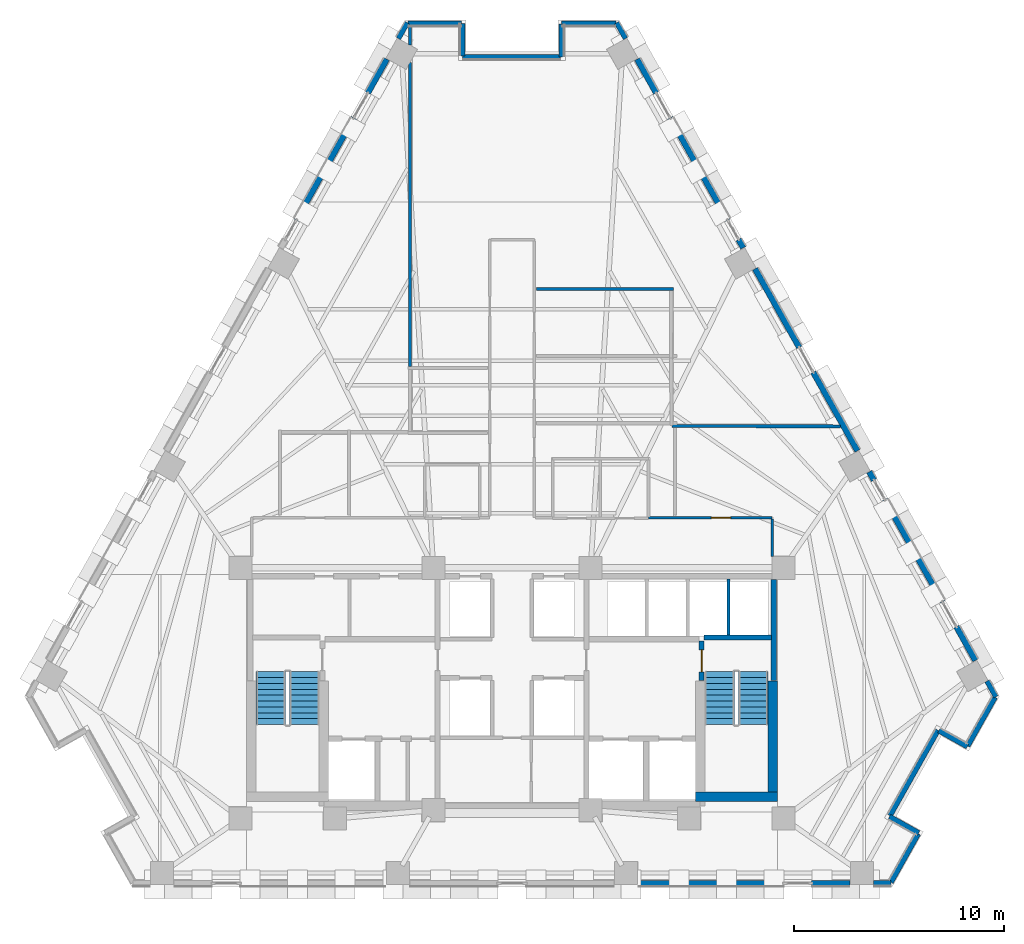
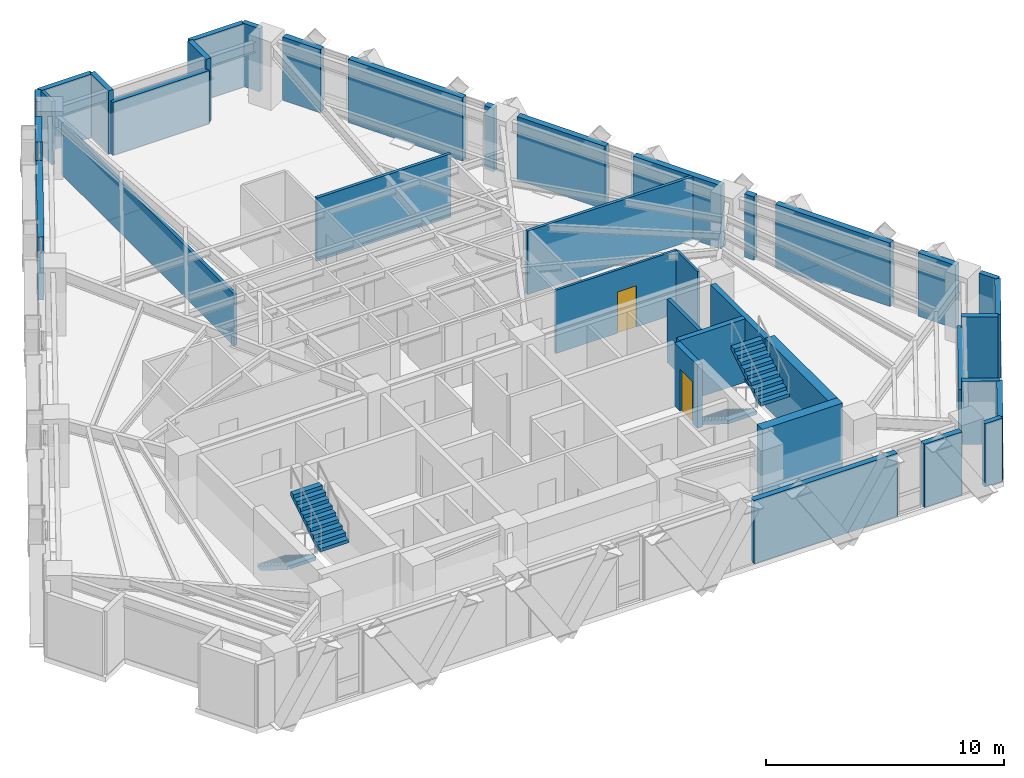
# One storey, part 9 of 13: 38 walls, 4 stair flights, 2 doors, 2 openings, 2 elements without a shape of their own.
"""IFC4 building model written with IfcOpenShell, lengths in metres."""

from ifc_helpers import new_model, si_unit, direction, frame, frame_2d, origin, place, context, subcontext, project, spatial, polyline, rectangle, outline, extrude, material, layer, layer_set, type_object, element, fill, aggregate, save


model = new_model("IFC4")

# Units and contexts
model_context = context("Model", 3, precision=1e-05, world=origin(), true_north=direction((0.0, 1.0)))
body_context = subcontext(model_context, "Body", "Model", "MODEL_VIEW")
ifc_project = project(units=[si_unit("LENGTHUNIT", "METRE"), si_unit("AREAUNIT", "SQUARE_METRE"), si_unit("VOLUMEUNIT", "CUBIC_METRE"), si_unit("PLANEANGLEUNIT", "RADIAN"), si_unit("MASSUNIT", "GRAM", prefix="KILO")], contexts=[model_context])

# Site, building, storey
site_placement = place(None, origin())
site = spatial("IfcSite", under=ifc_project, at=site_placement, CompositionType="ELEMENT")
building_placement = place(site_placement, origin())
building = spatial("IfcBuilding", under=site, at=building_placement, Name="Quenlor Broadcast Tower", CompositionType="ELEMENT")
storey_placement = place(building_placement, frame((0.0, 0.0, 109.0)))
storey = spatial("IfcBuildingStorey", under=building, at=storey_placement, Name="L29", CompositionType="ELEMENT", Elevation=109.0)

# Walls
ifc_material_1 = material(Name="Acoustic Double Stud Gypsum Partition", Category="other")
ifc_layer_1 = layer(ifc_material_1, 0.14990234375)
ifc_layer_set_1 = layer_set([ifc_layer_1], Name="Broadcast Studio Acoustic Partition 150")
wall_type_1 = type_object("IfcWallType", Name="Broadcast Studio Acoustic Partition 150", PredefinedType="PARTITIONING", material=ifc_layer_set_1)
wall_1_placement = place(storey_placement, frame((7.693603515625, 8.5, 0.0), z_axis=(0.0, 0.0, 1.0), x_axis=(-1.0, 0.0, 0.0)))
element("IfcWall", 1, at=wall_1_placement, inside=storey, type_object=wall_type_1, Name="L29 Interior Wall PW-DV-01", PredefinedType="PARTITIONING", context=body_context, shape_type="SweptSolid", body=[
    extrude(rectangle(XDim=6.513671875, YDim=0.14990234375, at=frame_2d((3.2568359375, 0.0))), origin(), (0.0, 0.0, 1.0), 3.25),
])
wall_2_placement = place(storey_placement, frame((-4.860107421875, 4.806884765625, 0.0), z_axis=(0.0, 0.0, 1.0), x_axis=(0.0, 1.0, 0.0)))
element("IfcWall", 2, at=wall_2_placement, inside=storey, type_object=wall_type_1, Name="L29 Interior Wall PW-DV-05", PredefinedType="PARTITIONING", context=body_context, shape_type="SweptSolid", body=[
    extrude(rectangle(XDim=14.50146484375, YDim=0.14990234375, at=frame_2d((7.250732421875, 0.0))), origin(), (0.0, 0.0, 1.0), 2.64794921875),
])
wall_3_placement = place(storey_placement, frame((-4.860107421875, 20.126220703125, 0.0), z_axis=(0.0, 0.0, 1.0), x_axis=(0.0, 1.0, 0.0)))
element("IfcWall", 3, at=wall_3_placement, inside=storey, type_object=wall_type_1, Name="L29 Interior Wall PW-DV-05S2", PredefinedType="PARTITIONING", context=body_context, shape_type="SweptSolid", body=[
    extrude(rectangle(XDim=0.919677734375, YDim=0.14990234375, at=frame_2d((0.4599609375, 0.0))), origin(), (0.0, 0.0, 1.0), 3.25),
])
wall_4_placement = place(storey_placement, frame((15.65673828125, 1.94970703125, 0.0), z_axis=(0.0, 0.0, 1.0), x_axis=(-0.999998274553, 0.001857657361, 0.0)))
element("IfcWall", 4, at=wall_4_placement, inside=storey, type_object=wall_type_1, Name="L29 Interior Wall PW-DV-06", PredefinedType="PARTITIONING", context=body_context, shape_type="SweptSolid", body=[
    extrude(rectangle(XDim=8.016845703125, YDim=0.14990234375, at=frame_2d((4.00830078125, 0.0))), origin(), (0.0, 0.0, 1.0), 3.25),
])
ifc_material_2 = material(Name="Concrete C50/60", Category="concrete")
ifc_layer_2 = layer(ifc_material_2, 0.449951171875)
ifc_layer_set_2 = layer_set([ifc_layer_2], Name="Core Concrete C50/60 Shear Wall 450")
wall_type_2 = type_object("IfcWallType", Name="Core Concrete C50/60 Shear Wall 450", PredefinedType="SHEAR", material=ifc_layer_set_2)
wall_5_placement = place(storey_placement, frame((8.75, -15.72509765625, 0.0), z_axis=(0.0, 0.0, 1.0), x_axis=(1.0, 0.0, 0.0)))
element("IfcWall", 5, at=wall_5_placement, inside=storey, type_object=wall_type_2, Name="L29 Core Shear Wall WS-E2", PredefinedType="SHEAR", context=body_context, shape_type="SweptSolid", body=[
    extrude(rectangle(XDim=3.89990234375, YDim=0.449951171875, at=frame_2d((1.949951171875, 0.0))), origin(), (0.0, 0.0, 1.0), 3.5),
])
wall_6_placement = place(storey_placement, frame((12.425048828125, -15.72509765625, 0.0), z_axis=(0.0, 0.0, 1.0), x_axis=(0.0, 1.0, 0.0)))
element("IfcWall", 6, at=wall_6_placement, inside=storey, type_object=wall_type_2, Name="L29 Core Shear Wall WF-E", PredefinedType="SHEAR", context=body_context, shape_type="SweptSolid", body=[
    extrude(rectangle(XDim=5.525146484375, YDim=0.449951171875, at=frame_2d((2.7626953125, 0.0))), origin(), (0.0, 0.0, 1.0), 3.5),
])

# Wall, opening, door
ifc_material_3 = material(Name="Concrete C40/50", Category="concrete")
ifc_layer_3 = layer(ifc_material_3, 0.25)
ifc_layer_set_3 = layer_set([ifc_layer_3], Name="Fire Rated Concrete C40/50 Core Wall 250")
wall_type_3 = type_object("IfcWallType", Name="Fire Rated Concrete C40/50 Core Wall 250", PredefinedType="PARTITIONING", material=ifc_layer_set_3)
wall_7_placement = place(storey_placement, frame((9.0400390625, -10.179931640625, 0.0), z_axis=(0.0, 0.0, 1.0), x_axis=(0.0, 1.0, 0.0)))
wall_7 = element("IfcWall", 7, at=wall_7_placement, inside=storey, type_object=wall_type_3, Name="L29 Interior Wall CW-ST2-DR", PredefinedType="PARTITIONING", context=body_context, shape_type="SweptSolid", body=[
    extrude(rectangle(XDim=1.89990234375, YDim=0.25, at=frame_2d((0.949951171875, 0.0))), origin(), (0.0, 0.0, 1.0), 3.25),
])
opening_1_placement = place(wall_7_placement, frame((0.419921875, 0.0, 0.0)))
opening_1 = element("IfcOpeningElement", 8, at=opening_1_placement, cuts=wall_7, Name="Opening FD-1", PredefinedType="OPENING", context=body_context, shape_type="SweptSolid", body=[
    extrude(rectangle(XDim=1.050048828125, YDim=2.14990234375, at=frame_2d((0.52490234375, 1.074951171875))), frame((0.0, 0.135009765625, 0.0), z_axis=(0.0, -1.0, 0.0), x_axis=(1.0, 0.0, 0.0)), (0.0, 0.0, 1.0), 0.27001953125),
])
ifc_material_4 = material(Name="Fire Rated Steel Door Leaf", Category="steel")
door_type_1 = type_object("IfcDoorType", Name="Fire Isolated Stair Door 1050x2150", OperationType="NOTDEFINED", PredefinedType="DOOR", material=ifc_material_4)
door_1_placement = place(opening_1_placement, origin())
door_1 = element("IfcDoor", 9, at=door_1_placement, inside=storey, type_object=door_type_1, Name="L29 Door DR-ST2", OperationType="SINGLE_SWING_RIGHT", OverallHeight=2.14990234375, OverallWidth=1.050048828125, PredefinedType="DOOR", context=body_context, shape_type="SweptSolid", body=[
    extrude(rectangle(XDim=1.050048828125, YDim=2.14990234375, at=frame_2d((0.52490234375, 1.074951171875))), frame((0.0, 0.02490234375, 0.0), z_axis=(0.0, -1.0, 0.0), x_axis=(1.0, 0.0, 0.0)), (0.0, 0.0, 1.0), 0.050048828125),
])
fill(opening_1, door_1)

# Walls
wall_8_placement = place(storey_placement, frame((9.159912109375, -8.1201171875, 0.0), z_axis=(0.0, 0.0, 1.0), x_axis=(1.0, 0.0, 0.0)))
element("IfcWall", 10, at=wall_8_placement, inside=storey, type_object=wall_type_3, Name="L29 Interior Wall CW-ST2-N", PredefinedType="PARTITIONING", context=body_context, shape_type="SweptSolid", body=[
    extrude(rectangle(XDim=3.219970703125, YDim=0.25, at=frame_2d((1.60986328125, 0.0))), origin(), (0.0, 0.0, 1.0), 3.25),
])
wall_9_placement = place(storey_placement, frame((12.47998046875, -10.179931640625, 0.0), z_axis=(0.0, 0.0, 1.0), x_axis=(0.0, 1.0, 0.0)))
element("IfcWall", 11, at=wall_9_placement, inside=storey, type_object=wall_type_3, Name="L29 Interior Wall CW-ST2-E2", PredefinedType="PARTITIONING", context=body_context, shape_type="SweptSolid", body=[
    extrude(rectangle(XDim=4.827880859375, YDim=0.25, at=frame_2d((2.4140625, 0.0))), origin(), (0.0, 0.0, 1.0), 3.25),
])
ifc_material_5 = material(Name="Gypsum Fireboard Partition", Category="other")
ifc_layer_4 = layer(ifc_material_5, 0.159912109375)
ifc_layer_set_4 = layer_set([ifc_layer_4], Name="Fire Rated Shaft and Corridor Partition 160")
wall_type_4 = type_object("IfcWallType", Name="Fire Rated Shaft and Corridor Partition 160", PredefinedType="PARTITIONING", material=ifc_layer_set_4)
wall_10_placement = place(storey_placement, frame((10.324951171875, -7.992919921875, 0.0), z_axis=(0.0, 0.0, 1.0), x_axis=(0.0, 1.0, 0.0)))
element("IfcWall", 12, at=wall_10_placement, inside=storey, type_object=wall_type_4, Name="L29 Interior Wall CW-PLH-D3", PredefinedType="PARTITIONING", context=body_context, shape_type="SweptSolid", body=[
    extrude(rectangle(XDim=2.65283203125, YDim=0.159912109375, at=frame_2d((1.326416015625, 0.0))), origin(), (0.0, 0.0, 1.0), 3.25),
])

# Wall, opening, door
ifc_material_6 = material(Name="Gypsum Plasterboard Partition", Category="other")
ifc_layer_5 = layer(ifc_material_6, 0.1201171875)
ifc_layer_set_5 = layer_set([ifc_layer_5], Name="Standard Office Partition 120")
wall_type_5 = type_object("IfcWallType", Name="Standard Office Partition 120", PredefinedType="PARTITIONING", material=ifc_layer_set_5)
wall_11_placement = place(storey_placement, frame((6.511962890625, -2.39990234375, 0.0), z_axis=(0.0, 0.0, 1.0), x_axis=(1.0, 0.0, 0.0)))
wall_11 = element("IfcWall", 13, at=wall_11_placement, inside=storey, type_object=wall_type_5, Name="L29 Interior Wall PW-CR-06S2", PredefinedType="PARTITIONING", context=body_context, shape_type="SweptSolid", body=[
    extrude(rectangle(XDim=5.89794921875, YDim=0.1201171875, at=frame_2d((2.948974609375, 0.0))), origin(), (0.0, 0.0, 1.0), 3.25),
])
opening_2_placement = place(wall_11_placement, frame((2.993896484375, 0.0, 0.0)))
opening_2 = element("IfcOpeningElement", 14, at=opening_2_placement, cuts=wall_11, Name="Opening ID-1", PredefinedType="OPENING", context=body_context, shape_type="SweptSolid", body=[
    extrude(rectangle(XDim=0.919921875, YDim=2.1201171875, at=frame_2d((0.4599609375, 1.06005859375))), frame((0.0, 0.070068359375, 0.0), z_axis=(0.0, -1.0, 0.0), x_axis=(1.0, 0.0, 0.0)), (0.0, 0.0, 1.0), 0.14013671875),
])
ifc_material_7 = material(Name="Solid Core Timber Oak", Category="wood")
door_type_2 = type_object("IfcDoorType", Name="Single Leaf Timber Office Door 920x2120", OperationType="NOTDEFINED", PredefinedType="DOOR", material=ifc_material_7)
door_2_placement = place(opening_2_placement, origin())
door_2 = element("IfcDoor", 15, at=door_2_placement, inside=storey, type_object=door_type_2, Name="L29 Door DR-RM08", OperationType="SINGLE_SWING_LEFT", OverallHeight=2.1201171875, OverallWidth=0.919921875, PredefinedType="DOOR", context=body_context, shape_type="SweptSolid", body=[
    extrude(rectangle(XDim=0.919921875, YDim=2.1201171875, at=frame_2d((0.4599609375, 1.06005859375))), frame((0.0, 0.02490234375, 0.0), z_axis=(0.0, -1.0, 0.0), x_axis=(1.0, 0.0, 0.0)), (0.0, 0.0, 1.0), 0.050048828125),
])
fill(opening_2, door_2)

# Walls
wall_12_placement = place(storey_placement, frame((12.409912109375, -2.4619140625, 0.0), z_axis=(0.0, 0.0, 1.0), x_axis=(0.0, -1.0, 0.0)))
element("IfcWall", 16, at=wall_12_placement, inside=storey, type_object=wall_type_5, Name="L29 Interior Wall PW-CR-07", PredefinedType="PARTITIONING", context=body_context, shape_type="SweptSolid", body=[
    extrude(rectangle(XDim=1.7861328125, YDim=0.1201171875, at=frame_2d((0.89306640625, 0.0))), origin(), (0.0, 0.0, 1.0), 3.25),
])
ifc_material_8 = material(Name="Precast concrete C40/50", Category="concrete")
ifc_layer_6 = layer(ifc_material_8, 0.239990234375)
ifc_layer_set_6 = layer_set([ifc_layer_6], Name="Terrace Threshold Precast Concrete C40/50 Wall 240")
wall_type_6 = type_object("IfcWallType", Name="Terrace Threshold Precast Concrete C40/50 Wall 240", PredefinedType="STANDARD", material=ifc_layer_set_6)
wall_13_placement = place(storey_placement, frame((18.083984375, -19.840087890625, 0.0), z_axis=(0.0, 0.0, 1.0), x_axis=(-1.0, 0.0, 0.0)))
element("IfcWall", 17, at=wall_13_placement, inside=storey, type_object=wall_type_6, Name="L29 Exterior Wall L29-SHD-SS0", PredefinedType="STANDARD", context=body_context, shape_type="SweptSolid", body=[
    extrude(rectangle(XDim=0.83642578125, YDim=0.239990234375, at=frame_2d((0.418212890625, 0.0))), origin(), (0.0, 0.0, 1.0), 3.25),
])
for number, where, z_axis, x_axis, name in (
    (18, (4.992919921875, 21.197265625, 0.0), (0.0, 0.0, 1.0), (0.490355003566, -0.871522788272, 0.0), "L29 Exterior Wall L29-SHD-NES0"),
    (19, (22.65380859375, -10.199951171875, 0.0), (0.0, 0.0, 1.0), (0.490355003566, -0.871522788272, 0.0), "L29 Exterior Wall L29-SHD-NES1"),
    (20, (-5.417236328125, 20.443115234375, 0.0), (0.0, 0.0, 1.0), (0.490355003566, 0.871522788272, 0.0), "L29 Exterior Wall L29-SHD-NWS1"),
):
    element("IfcWall", number, at=place(storey_placement, frame(where, z_axis=z_axis, x_axis=x_axis)), inside=storey, type_object=wall_type_6, Name=name, PredefinedType="STANDARD", context=body_context, shape_type="SweptSolid", body=[
        extrude(rectangle(XDim=0.865234375, YDim=0.239990234375, at=frame_2d((0.4326171875, 0.0))), origin(), (0.0, 0.0, 1.0), 3.25),
    ])
wall_14_placement = place(storey_placement, frame((19.39892578125, -17.4423828125, 0.0), z_axis=(0.0, 0.0, 1.0), x_axis=(-0.871575537125, 0.490261239633, 0.0)))
element("IfcWall", 21, at=wall_14_placement, inside=storey, type_object=wall_type_6, Name="L29 Exterior Wall L29-CNR-01", PredefinedType="STANDARD", context=body_context, shape_type="SweptSolid", body=[
    extrude(rectangle(XDim=1.60009765625, YDim=0.239990234375, at=frame_2d((0.800048828125, 0.0))), origin(), (0.0, 0.0, 1.0), 3.25),
])
wall_15_placement = place(storey_placement, frame((18.024169921875, -16.623046875, 0.0), z_axis=(0.0, 0.0, 1.0), x_axis=(0.490273623647, 0.871568571001, 0.0)))
element("IfcWall", 22, at=wall_15_placement, inside=storey, type_object=wall_type_6, Name="L29 Exterior Wall L29-CNR-02", PredefinedType="STANDARD", context=body_context, shape_type="SweptSolid", body=[
    extrude(rectangle(XDim=4.679931640625, YDim=0.239990234375, at=frame_2d((2.33984375, 0.0))), origin(), (0.0, 0.0, 1.0), 2.7216796875),
])
wall_16_placement = place(storey_placement, frame((20.353515625, -12.563720703125, 0.0), z_axis=(0.0, 0.0, 1.0), x_axis=(0.871546278971, -0.490313250496, 0.0)))
element("IfcWall", 23, at=wall_16_placement, inside=storey, type_object=wall_type_6, Name="L29 Exterior Wall L29-CNR-03", PredefinedType="STANDARD", context=body_context, shape_type="SweptSolid", body=[
    extrude(rectangle(XDim=1.56005859375, YDim=0.239990234375, at=frame_2d((0.780029296875, 0.0))), origin(), (0.0, 0.0, 1.0), 3.25),
])
wall_17_placement = place(storey_placement, frame((21.732666015625, -13.293701171875, 0.0), z_axis=(0.0, 0.0, 1.0), x_axis=(0.490265590412, 0.871573089797, 0.0)))
element("IfcWall", 24, at=wall_17_placement, inside=storey, type_object=wall_type_6, Name="L29 Exterior Wall L29-CNR-04", PredefinedType="STANDARD", context=body_context, shape_type="SweptSolid", body=[
    extrude(rectangle(XDim=2.6640625, YDim=0.239990234375, at=frame_2d((1.33203125, 0.0))), origin(), (0.0, 0.0, 1.0), 3.25),
])
wall_18_placement = place(storey_placement, frame((4.95947265625, 21.16796875, 0.0), z_axis=(0.0, 0.0, 1.0), x_axis=(-1.0, 0.0, 0.0)))
element("IfcWall", 25, at=wall_18_placement, inside=storey, type_object=wall_type_6, Name="L29 Exterior Wall L29-CNR-06", PredefinedType="STANDARD", context=body_context, shape_type="SweptSolid", body=[
    extrude(rectangle(XDim=2.599365234375, YDim=0.239990234375, at=frame_2d((1.2998046875, 0.0))), origin(), (0.0, 0.0, 1.0), 3.25),
])
wall_19_placement = place(storey_placement, frame((2.360107421875, 21.1279296875, 0.0), z_axis=(0.0, 0.0, 1.0), x_axis=(0.0, -1.0, 0.0)))
element("IfcWall", 26, at=wall_19_placement, inside=storey, type_object=wall_type_6, Name="L29 Exterior Wall L29-CNR-07", PredefinedType="STANDARD", context=body_context, shape_type="SweptSolid", body=[
    extrude(rectangle(XDim=1.559814453125, YDim=0.239990234375, at=frame_2d((0.77978515625, 0.0))), origin(), (0.0, 0.0, 1.0), 3.25),
])
wall_20_placement = place(storey_placement, frame((2.320068359375, 19.568115234375, 0.0), z_axis=(0.0, 0.0, 1.0), x_axis=(-1.0, 0.0, 0.0)))
element("IfcWall", 27, at=wall_20_placement, inside=storey, type_object=wall_type_6, Name="L29 Exterior Wall L29-CNR-08", PredefinedType="STANDARD", context=body_context, shape_type="SweptSolid", body=[
    extrude(rectangle(XDim=4.68017578125, YDim=0.239990234375, at=frame_2d((2.340087890625, 0.0))), origin(), (0.0, 0.0, 1.0), 2.7216796875),
])
wall_21_placement = place(storey_placement, frame((-2.360107421875, 19.60791015625, 0.0), z_axis=(0.0, 0.0, 1.0), x_axis=(0.0, 1.0, 0.0)))
element("IfcWall", 28, at=wall_21_placement, inside=storey, type_object=wall_type_6, Name="L29 Exterior Wall L29-CNR-09", PredefinedType="STANDARD", context=body_context, shape_type="SweptSolid", body=[
    extrude(rectangle(XDim=1.56005859375, YDim=0.239990234375, at=frame_2d((0.780029296875, 0.0))), origin(), (0.0, 0.0, 1.0), 3.25),
])
wall_22_placement = place(storey_placement, frame((-2.39990234375, 21.16796875, 0.0), z_axis=(0.0, 0.0, 1.0), x_axis=(-1.0, 0.0, 0.0)))
element("IfcWall", 29, at=wall_22_placement, inside=storey, type_object=wall_type_6, Name="L29 Exterior Wall L29-CNR-10", PredefinedType="STANDARD", context=body_context, shape_type="SweptSolid", body=[
    extrude(rectangle(XDim=2.5595703125, YDim=0.239990234375, at=frame_2d((1.27978515625, 0.0))), origin(), (0.0, 0.0, 1.0), 3.25),
])
wall_23_placement = place(storey_placement, frame((18.074951171875, -19.79638671875, 0.0), z_axis=(0.0, 0.0, 1.0), x_axis=(0.490248170584, 0.871582888335, 0.0)))
element("IfcWall", 30, at=wall_23_placement, inside=storey, type_object=wall_type_6, Name="L29 Exterior Wall L29-CNR-18", PredefinedType="STANDARD", context=body_context, shape_type="SweptSolid", body=[
    extrude(rectangle(XDim=2.660888671875, YDim=0.239990234375, at=frame_2d((1.33056640625, 0.0))), origin(), (0.0, 0.0, 1.0), 3.25),
])
ifc_material_9 = material(Name="Precast concrete C40/50", Category="concrete")
ifc_layer_7 = layer(ifc_material_9, 0.280029296875)
ifc_layer_set_7 = layer_set([ifc_layer_7], Name="Terracotta Precast Concrete C40/50 Facade Wall 280")
wall_type_7 = type_object("IfcWallType", Name="Terracotta Precast Concrete C40/50 Facade Wall 280", PredefinedType="STANDARD", material=ifc_layer_set_7)
wall_24_placement = place(storey_placement, frame((16.117431640625, -19.840087890625, 0.0), z_axis=(0.0, 0.0, 1.0), x_axis=(-1.0, 0.0, 0.0)))
element("IfcWall", 31, at=wall_24_placement, inside=storey, type_object=wall_type_7, Name="L29 Exterior Wall L29-SA-SP1", PredefinedType="STANDARD", context=body_context, shape_type="SweptSolid", body=[
    extrude(rectangle(XDim=1.82568359375, YDim=0.280029296875, at=frame_2d((0.912841796875, 0.0))), origin(), (0.0, 0.0, 1.0), 3.25),
])
wall_25_placement = place(storey_placement, frame((12.978759765625, -19.840087890625, 0.0), z_axis=(0.0, 0.0, 1.0), x_axis=(-1.0, 0.0, 0.0)))
element("IfcWall", 32, at=wall_25_placement, inside=storey, type_object=wall_type_7, Name="L29 Exterior Wall L29-SA-SP2", PredefinedType="STANDARD", context=body_context, shape_type="SweptSolid", body=[
    extrude(rectangle(XDim=6.96044921875, YDim=0.280029296875, at=frame_2d((3.480224609375, 0.0))), origin(), (0.0, 0.0, 1.0), 3.25),
])
wall_26_placement = place(storey_placement, frame((5.97119140625, 19.458251953125, 0.0), z_axis=(0.0, 0.0, 1.0), x_axis=(0.490280102884, -0.871564926277, 0.0)))
element("IfcWall", 33, at=wall_26_placement, inside=storey, type_object=wall_type_7, Name="L29 Exterior Wall L29-NEA-SP1", PredefinedType="STANDARD", context=body_context, shape_type="SweptSolid", body=[
    extrude(rectangle(XDim=1.843505859375, YDim=0.280029296875, at=frame_2d((0.921875, 0.0))), origin(), (0.0, 0.0, 1.0), 3.25),
])
wall_27_placement = place(storey_placement, frame((7.543701171875, 16.662353515625, 0.0), z_axis=(0.0, 0.0, 1.0), x_axis=(0.490298514233, -0.871554569113, 0.0)))
element("IfcWall", 34, at=wall_27_placement, inside=storey, type_object=wall_type_7, Name="L29 Exterior Wall L29-NEA-SP2", PredefinedType="STANDARD", context=body_context, shape_type="SweptSolid", body=[
    extrude(rectangle(XDim=5.597412109375, YDim=0.280029296875, at=frame_2d((2.798828125, 0.0))), origin(), (0.0, 0.0, 1.0), 3.25),
])
for number, where, z_axis, x_axis, name in (
    (35, (10.806396484375, 10.862060546875, 0.0), (0.0, 0.0, 1.0), (0.490412424957, -0.871490478116, 0.0), "L29 Exterior Wall L29-NEA-SP3"),
    (36, (17.0390625, -0.218017578125, 0.0), (0.0, 0.0, 1.0), (0.490009165718, -0.871717280724, 0.0), "L29 Exterior Wall L29-NEC-SP1"),
):
    element("IfcWall", number, at=place(storey_placement, frame(where, z_axis=z_axis, x_axis=x_axis)), inside=storey, type_object=wall_type_7, Name=name, PredefinedType="STANDARD", context=body_context, shape_type="SweptSolid", body=[
        extrude(rectangle(XDim=0.4599609375, YDim=0.280029296875, at=frame_2d((0.22998046875, 0.0))), origin(), (0.0, 0.0, 1.0), 3.25),
    ])
wall_28_placement = place(storey_placement, frame((17.782958984375, -1.540771484375, 0.0), z_axis=(0.0, 0.0, 1.0), x_axis=(0.490265381388, -0.871573207374, 0.0)))
element("IfcWall", 37, at=wall_28_placement, inside=storey, type_object=wall_type_7, Name="L29 Exterior Wall L29-NEC-SP2", PredefinedType="STANDARD", context=body_context, shape_type="SweptSolid", body=[
    extrude(rectangle(XDim=5.59716796875, YDim=0.280029296875, at=frame_2d((2.798583984375, 0.0))), origin(), (0.0, 0.0, 1.0), 3.25),
])
wall_29_placement = place(storey_placement, frame((21.196044921875, -7.6083984375, 0.0), z_axis=(0.0, 0.0, 1.0), x_axis=(0.490280102884, -0.871564926277, 0.0)))
element("IfcWall", 38, at=wall_29_placement, inside=storey, type_object=wall_type_7, Name="L29 Exterior Wall L29-NEC-SP3", PredefinedType="STANDARD", context=body_context, shape_type="SweptSolid", body=[
    extrude(rectangle(XDim=1.843505859375, YDim=0.280029296875, at=frame_2d((0.921875, 0.0))), origin(), (0.0, 0.0, 1.0), 3.25),
])
for number, where, z_axis, x_axis, name in (
    (39, (11.59326171875, 9.463134765625, 0.0), (0.0, 0.0, 1.0), (0.490293592365, -0.871557337922, 0.0), "L29 Exterior Wall L29-NE-SP1"),
    (40, (14.369873046875, 4.527099609375, 0.0), (0.0, 0.0, 1.0), (0.490293592365, -0.871557337922, 0.0), "L29 Exterior Wall L29-NE-SP2"),
):
    element("IfcWall", number, at=place(storey_placement, frame(where, z_axis=z_axis, x_axis=x_axis)), inside=storey, type_object=wall_type_7, Name=name, PredefinedType="STANDARD", context=body_context, shape_type="SweptSolid", body=[
        extrude(rectangle(XDim=4.29931640625, YDim=0.280029296875, at=frame_2d((2.149658203125, 0.0))), origin(), (0.0, 0.0, 1.0), 3.25),
    ])
wall_30_placement = place(storey_placement, frame((-10.2880859375, 11.783935546875, 0.0), z_axis=(0.0, 0.0, 1.0), x_axis=(0.490298514233, 0.871554569113, 0.0)))
element("IfcWall", 41, at=wall_30_placement, inside=storey, type_object=wall_type_7, Name="L29 Exterior Wall L29-NWC-SP2", PredefinedType="STANDARD", context=body_context, shape_type="SweptSolid", body=[
    extrude(rectangle(XDim=5.597412109375, YDim=0.280029296875, at=frame_2d((2.798828125, 0.0))), origin(), (0.0, 0.0, 1.0), 3.25),
])
wall_31_placement = place(storey_placement, frame((-6.875, 17.8515625, 0.0), z_axis=(0.0, 0.0, 1.0), x_axis=(0.490280102884, 0.871564926277, 0.0)))
element("IfcWall", 42, at=wall_31_placement, inside=storey, type_object=wall_type_7, Name="L29 Exterior Wall L29-NWC-SP3", PredefinedType="STANDARD", context=body_context, shape_type="SweptSolid", body=[
    extrude(rectangle(XDim=1.843505859375, YDim=0.280029296875, at=frame_2d((0.921875, 0.0))), origin(), (0.0, 0.0, 1.0), 3.25),
])

# Stair, stair flights
ifc_material_10 = material(Name="Precast concrete C40/50", Category="concrete")
stair_type = type_object("IfcStairType", Name="Precast Concrete C40/50 Dogleg Stair H350", PredefinedType="HALF_TURN_STAIR", material=ifc_material_10)
stair_1_placement = place(storey_placement, origin())
stair_1 = element("IfcStair", 43, at=stair_1_placement, inside=storey, type_object=stair_type, Name="L29 West Core Fire-Isolated Exit Stair ST-1", PredefinedType="HALF_TURN_STAIR")
ifc_material_11 = material(Name="Precast concrete C40/50", Category="concrete")
ifc_layer_8 = layer(ifc_material_11, 0.159912109375)
ifc_layer_set_8 = layer_set([ifc_layer_8], Name="Precast Concrete C40/50 Stair Flight H350")
stair_flight_type = type_object("IfcStairFlightType", Name="Precast Concrete C40/50 Stair Flight H350", PredefinedType="STRAIGHT", material=ifc_layer_set_8)
stair_flight_1_placement = place(storey_placement, frame((-11.5, -9.75, 0.0), z_axis=(0.0, 0.0, 1.0), x_axis=(0.0, -1.0, 0.0)))
stair_flight_1 = element("IfcStairFlight", 44, at=stair_flight_1_placement, type_object=stair_flight_type, Name="ST-1 flight 1", NumberOfRisers=10, NumberOfTreads=9, PredefinedType="STRAIGHT", RiserHeight=0.175, TreadLength=0.28, context=body_context, shape_type="SweptSolid", body=[
    extrude(outline(polyline([(0.0, 0.0), (0.0, 0.175048828125), (0.280029296875, 0.175048828125), (0.280029296875, 0.35009765625), (0.56005859375, 0.35009765625), (0.56005859375, 0.52490234375), (0.840087890625, 0.52490234375), (0.840087890625, 0.699951171875), (1.1201171875, 0.699951171875), (1.1201171875, 0.875), (1.39990234375, 0.875), (1.39990234375, 1.050048828125), (1.679931640625, 1.050048828125), (1.679931640625, 1.22509765625), (1.9599609375, 1.22509765625), (1.9599609375, 1.39990234375), (2.239990234375, 1.39990234375), (2.239990234375, 1.574951171875), (2.52001953125, 1.574951171875), (2.52001953125, 1.75), (2.52001953125, 1.398193359375), (0.28271484375, 0.0), (0.0, 0.0)])), frame((0.0, 0.699951171875, 0.0), z_axis=(0.0, -1.0, 0.0), x_axis=(1.0, 0.0, 0.0)), (0.0, 0.0, 1.0), 1.39990234375),
])
stair_flight_2_placement = place(storey_placement, frame((-9.89990234375, -12.27001953125, 1.75), z_axis=(0.0, 0.0, 1.0), x_axis=(0.0, 1.0, 0.0)))
stair_flight_2 = element("IfcStairFlight", 45, at=stair_flight_2_placement, type_object=stair_flight_type, Name="ST-1 flight 2", NumberOfRisers=10, NumberOfTreads=9, PredefinedType="STRAIGHT", RiserHeight=0.175, TreadLength=0.28, context=body_context, shape_type="SweptSolid", body=[
    extrude(outline(polyline([(0.0, 0.0), (0.0, 0.175048828125), (0.280029296875, 0.175048828125), (0.280029296875, 0.35009765625), (0.56005859375, 0.35009765625), (0.56005859375, 0.52490234375), (0.840087890625, 0.52490234375), (0.840087890625, 0.699951171875), (1.1201171875, 0.699951171875), (1.1201171875, 0.875), (1.39990234375, 0.875), (1.39990234375, 1.050048828125), (1.679931640625, 1.050048828125), (1.679931640625, 1.22509765625), (1.9599609375, 1.22509765625), (1.9599609375, 1.39990234375), (2.239990234375, 1.39990234375), (2.239990234375, 1.574951171875), (2.52001953125, 1.574951171875), (2.52001953125, 1.75), (2.52001953125, 1.398193359375), (0.28271484375, 0.0), (0.0, 0.0)])), frame((0.0, 0.699951171875, 0.0), z_axis=(0.0, -1.0, 0.0), x_axis=(1.0, 0.0, 0.0)), (0.0, 0.0, 1.0), 1.39990234375),
])
aggregate(stair_1, [stair_flight_1, stair_flight_2])

stair_2_placement = place(storey_placement, origin())
stair_2 = element("IfcStair", 46, at=stair_2_placement, inside=storey, type_object=stair_type, Name="L29 East Core Fire-Isolated Exit Stair ST-2", PredefinedType="HALF_TURN_STAIR")
stair_flight_3_placement = place(storey_placement, frame((9.89990234375, -9.75, 0.0), z_axis=(0.0, 0.0, 1.0), x_axis=(0.0, -1.0, 0.0)))
stair_flight_3 = element("IfcStairFlight", 47, at=stair_flight_3_placement, type_object=stair_flight_type, Name="ST-2 flight 1", NumberOfRisers=10, NumberOfTreads=9, PredefinedType="STRAIGHT", RiserHeight=0.175, TreadLength=0.28, context=body_context, shape_type="SweptSolid", body=[
    extrude(outline(polyline([(0.0, 0.0), (0.0, 0.175048828125), (0.280029296875, 0.175048828125), (0.280029296875, 0.35009765625), (0.56005859375, 0.35009765625), (0.56005859375, 0.52490234375), (0.840087890625, 0.52490234375), (0.840087890625, 0.699951171875), (1.1201171875, 0.699951171875), (1.1201171875, 0.875), (1.39990234375, 0.875), (1.39990234375, 1.050048828125), (1.679931640625, 1.050048828125), (1.679931640625, 1.22509765625), (1.9599609375, 1.22509765625), (1.9599609375, 1.39990234375), (2.239990234375, 1.39990234375), (2.239990234375, 1.574951171875), (2.52001953125, 1.574951171875), (2.52001953125, 1.75), (2.52001953125, 1.398193359375), (0.28271484375, 0.0), (0.0, 0.0)])), frame((0.0, 0.699951171875, 0.0), z_axis=(0.0, -1.0, 0.0), x_axis=(1.0, 0.0, 0.0)), (0.0, 0.0, 1.0), 1.39990234375),
])
stair_flight_4_placement = place(storey_placement, frame((11.5, -12.27001953125, 1.75), z_axis=(0.0, 0.0, 1.0), x_axis=(0.0, 1.0, 0.0)))
stair_flight_4 = element("IfcStairFlight", 48, at=stair_flight_4_placement, type_object=stair_flight_type, Name="ST-2 flight 2", NumberOfRisers=10, NumberOfTreads=9, PredefinedType="STRAIGHT", RiserHeight=0.175, TreadLength=0.28, context=body_context, shape_type="SweptSolid", body=[
    extrude(outline(polyline([(0.0, 0.0), (0.0, 0.175048828125), (0.280029296875, 0.175048828125), (0.280029296875, 0.35009765625), (0.56005859375, 0.35009765625), (0.56005859375, 0.52490234375), (0.840087890625, 0.52490234375), (0.840087890625, 0.699951171875), (1.1201171875, 0.699951171875), (1.1201171875, 0.875), (1.39990234375, 0.875), (1.39990234375, 1.050048828125), (1.679931640625, 1.050048828125), (1.679931640625, 1.22509765625), (1.9599609375, 1.22509765625), (1.9599609375, 1.39990234375), (2.239990234375, 1.39990234375), (2.239990234375, 1.574951171875), (2.52001953125, 1.574951171875), (2.52001953125, 1.75), (2.52001953125, 1.398193359375), (0.28271484375, 0.0), (0.0, 0.0)])), frame((0.0, 0.699951171875, 0.0), z_axis=(0.0, -1.0, 0.0), x_axis=(1.0, 0.0, 0.0)), (0.0, 0.0, 1.0), 1.39990234375),
])
aggregate(stair_2, [stair_flight_3, stair_flight_4])

save(model, "model.ifc")
